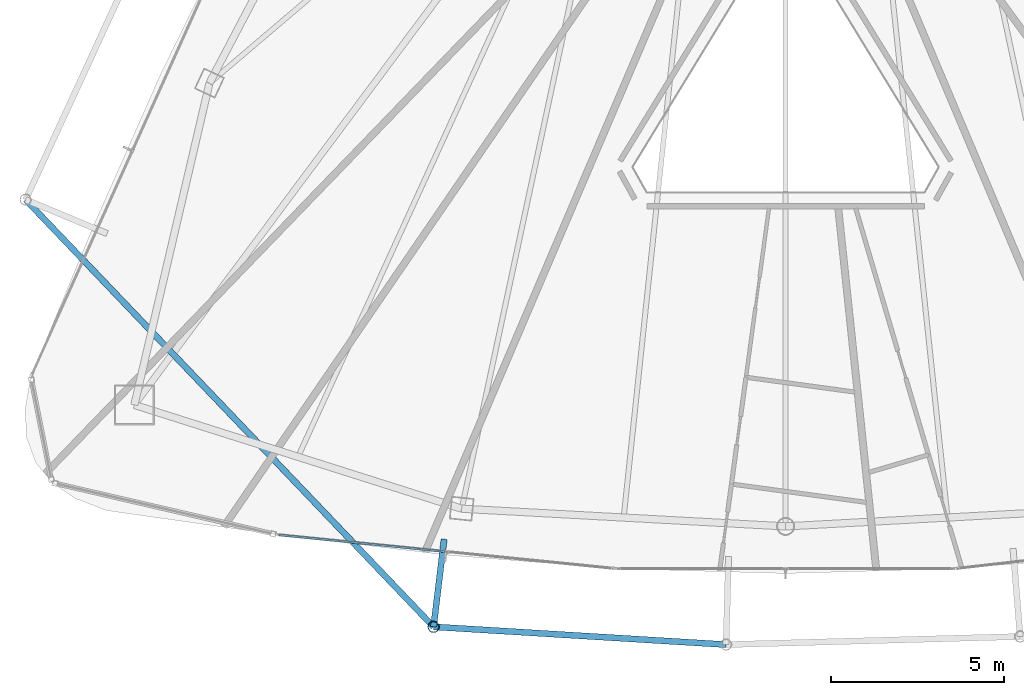
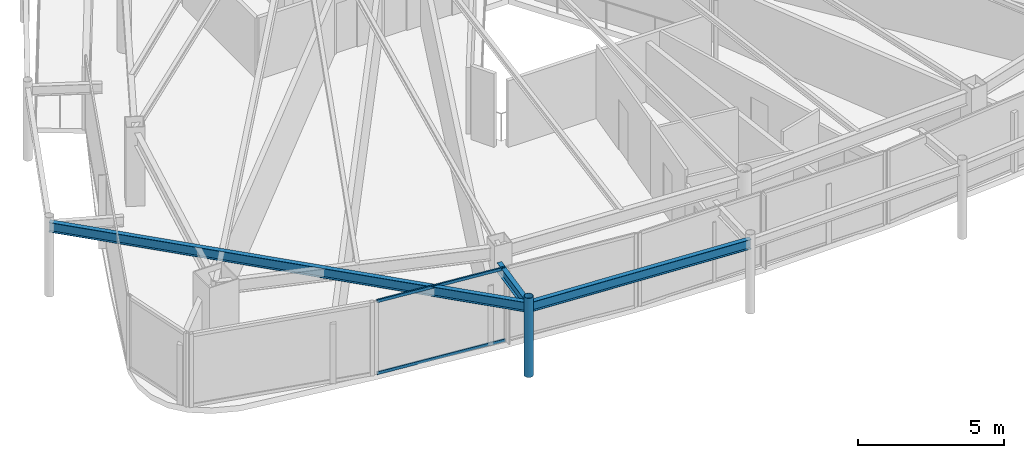
# One storey, part 3 of 28: 3 beams, 3 members, 1 element without a shape of its own.
"""IFC4 building model written with IfcOpenShell, lengths in metres."""

import ifcopenshell
import ifcopenshell.guid

model = None  # the IFC model being written
_history = None  # IfcOwnerHistory: only IFC2X3 demands one
_inside = {}  # id of a spatial element -> (the spatial element, [elements in it])
_under = {}  # id of a project, library or spatial element -> (it, [spatial elements below it])
_declared = {}  # id of a project -> (the project, [libraries it declares])
_typed = {}  # id of a type object -> (the type object, [elements of that type])
_made_of = {}  # id of a material, layer set ... -> (it, [elements and type objects made of it])


def new_model(schema):
    """Start an empty IFC model of exactly this schema.

    Asked for "IFC4X3", IfcOpenShell would pick the latest addendum, in which some entities
    have other attributes; the version numbers below select the first issue.
    IFC2X3 requires an IfcOwnerHistory on every rooted entity: one is made here for all.
    """
    global model, _history
    if schema == "IFC4X3":
        model = ifcopenshell.file(schema_version=(4, 3, 0, 0))
    else:
        model = ifcopenshell.file(schema=schema)
    _inside.clear()
    _under.clear()
    _declared.clear()
    _typed.clear()
    _made_of.clear()
    _history = None
    if model.schema == "IFC2X3":
        org = make("IfcOrganization", Name="unknown")
        user = make(
            "IfcPersonAndOrganization",
            ThePerson=make("IfcPerson", FamilyName="unknown"),
            TheOrganization=org,
        )
        app = make(
            "IfcApplication",
            ApplicationDeveloper=org,
            Version="unknown",
            ApplicationFullName="unknown",
            ApplicationIdentifier="unknown",
        )
        _history = make(
            "IfcOwnerHistory",
            OwningUser=user,
            OwningApplication=app,
            ChangeAction="ADDED",
            CreationDate=0,
        )
    return model


def make(cls, **values):
    """One entity of the class cls with the attributes given. An attribute that is None is left unset."""
    return model.create_entity(
        cls, **{name: value for name, value in values.items() if value is not None}
    )


def rooted(cls, **values):
    """An entity with a GlobalId (a new one), such as an element, a storey or a relation."""
    return make(cls, GlobalId=ifcopenshell.guid.new(), OwnerHistory=_history, **values)


def si_unit(unit_type, name, prefix=None):
    """IfcSIUnit, for example si_unit("LENGTHUNIT", "METRE", prefix="MILLI")."""
    return make("IfcSIUnit", UnitType=unit_type, Prefix=prefix, Name=name)


def assignment(units):
    """IfcUnitAssignment: the units of a project."""
    return None if units is None else make("IfcUnitAssignment", Units=units)


def point(xyz):
    """IfcCartesianPoint."""
    return None if xyz is None else make("IfcCartesianPoint", Coordinates=xyz)


def direction(xyz):
    """IfcDirection."""
    return None if xyz is None else make("IfcDirection", DirectionRatios=xyz)


def frame(location, z_axis=None, x_axis=None):
    """IfcAxis2Placement3D, a coordinate frame: its origin and axes. An axis left out is left unset."""
    return make(
        "IfcAxis2Placement3D",
        Location=point(location),
        Axis=direction(z_axis),
        RefDirection=direction(x_axis),
    )


def frame_2d(location, x_axis=None):
    """IfcAxis2Placement2D, a coordinate frame in the plane: its origin and x axis."""
    return make(
        "IfcAxis2Placement2D", Location=point(location), RefDirection=direction(x_axis)
    )


def origin():
    """The frame at (0, 0, 0) with its axes left unset."""
    return frame((0.0, 0.0, 0.0))


def origin_2d():
    """The frame at (0, 0) in the plane with its x axis left unset."""
    return frame_2d((0.0, 0.0))


def place(relative_to, where):
    """IfcLocalPlacement: puts the frame where relative to a parent placement (None: the world)."""
    return make(
        "IfcLocalPlacement", PlacementRelTo=relative_to, RelativePlacement=where
    )


def context(
    kind, dimensions, precision=None, world=None, true_north=None, identifier=None
):
    """IfcGeometricRepresentationContext, for example the 3D "Model" context."""
    return make(
        "IfcGeometricRepresentationContext",
        ContextIdentifier=identifier,
        ContextType=kind,
        CoordinateSpaceDimension=dimensions,
        Precision=precision,
        WorldCoordinateSystem=world,
        TrueNorth=true_north,
    )


def subcontext(parent, identifier, kind, view, scale=None):
    """IfcGeometricRepresentationSubContext, for example "Body" below "Model"."""
    return make(
        "IfcGeometricRepresentationSubContext",
        ContextIdentifier=identifier,
        ContextType=kind,
        ParentContext=parent,
        TargetScale=scale,
        TargetView=view,
    )


def project(units=None, contexts=None):
    """IfcProject with its units and contexts."""
    return rooted(
        "IfcProject",
        Name="project",
        RepresentationContexts=contexts,
        UnitsInContext=assignment(units),
    )


def spatial(cls, under=None, at=None, **own):
    """A site, building, storey or space (cls), placed at a placement, below another one or the project."""
    s = rooted(cls, ObjectPlacement=at, **own)
    if under is not None:
        _under.setdefault(under.id(), (under, []))[1].append(s)
    return s


def profile(cls, at=None, kind="AREA", **sizes):
    """A parametric profile (cls). Its sizes go by their IFC names, for example OverallWidth=200.0."""
    return make(cls, ProfileType=kind, Position=at, **sizes)


def hollow_rectangle(**sizes):
    """IfcRectangleHollowProfileDef."""
    return profile("IfcRectangleHollowProfileDef", **sizes)


def hollow_circle(**sizes):
    """IfcCircleHollowProfileDef."""
    return profile("IfcCircleHollowProfileDef", **sizes)


def i_section(**sizes):
    """IfcIShapeProfileDef."""
    return profile("IfcIShapeProfileDef", **sizes)


def extrude(swept, where, along, depth):
    """IfcExtrudedAreaSolid: the profile swept, set in the frame where, extruded along a direction by depth."""
    return make(
        "IfcExtrudedAreaSolid",
        SweptArea=swept,
        Position=where,
        ExtrudedDirection=direction(along),
        Depth=depth,
    )


def shape(context_of_items, identifier, shape_type, items):
    """IfcShapeRepresentation: the items that make up one representation, for example the "Body"."""
    return make(
        "IfcShapeRepresentation",
        ContextOfItems=context_of_items,
        RepresentationIdentifier=identifier,
        RepresentationType=shape_type,
        Items=items,
    )


def material(Name=None, Category=None):
    """IfcMaterial."""
    return make("IfcMaterial", Name=Name, Category=Category)


def layer(
    of_material, thickness, ventilated=None, Name=None, Category=None, Priority=None
):
    """IfcMaterialLayer: one layer of a wall or slab, of a material (None: an air gap)."""
    return make(
        "IfcMaterialLayer",
        Material=of_material,
        LayerThickness=thickness,
        IsVentilated=ventilated,
        Name=Name,
        Category=Category,
        Priority=Priority,
    )


def layer_set(layers, Name=None):
    """IfcMaterialLayerSet."""
    return make("IfcMaterialLayerSet", MaterialLayers=layers, LayerSetName=Name)


def material_profile(
    of_material, cross_section, Name=None, Category=None, Priority=None
):
    """IfcMaterialProfile: a cross section and its material."""
    return make(
        "IfcMaterialProfile",
        Name=Name,
        Material=of_material,
        Profile=cross_section,
        Priority=Priority,
        Category=Category,
    )


def profile_set(profiles, Name=None, composite=None):
    """IfcMaterialProfileSet."""
    return make(
        "IfcMaterialProfileSet",
        Name=Name,
        MaterialProfiles=profiles,
        CompositeProfile=composite,
    )


def made_of(thing, what):
    """Note that an element or type object is made of a material, layer set ...; save() writes the relation."""
    if what is not None:
        _made_of.setdefault(what.id(), (what, []))[1].append(thing)
    return thing


def type_object(cls, material=None, **own):
    """A type object (cls), such as IfcWallType, which elements share."""
    return made_of(rooted(cls, **own), material)


def element(
    cls,
    number,
    at=None,
    inside=None,
    cuts=None,
    type_object=None,
    material=None,
    context=None,
    identifier="Body",
    shape_type=None,
    held_by="IfcProductDefinitionShape",
    body=None,
    shapes=None,
    **own,
):
    """One element of the class cls, such as IfcWall. Its Tag is "e" and its number.

    at: its placement. inside: the storey or other place that contains it. cuts: it is an
    opening in that element (IfcRelVoidsElement). A single representation is given by context,
    identifier, shape_type and body (its items); several are given by shapes. held_by: the class
    of the entity that holds the representations. save() writes the other relations.
    """
    e = rooted(cls, Tag="e%d" % number, ObjectPlacement=at, **own)
    if body is not None:
        shapes = [shape(context, identifier, shape_type, body)]
    if shapes is not None:
        e.Representation = make(held_by, Representations=shapes)
    if inside is not None:
        _inside.setdefault(inside.id(), (inside, []))[1].append(e)
    if cuts is not None:
        rooted(
            "IfcRelVoidsElement", RelatingBuildingElement=cuts, RelatedOpeningElement=e
        )
    if type_object is not None:
        _typed.setdefault(type_object.id(), (type_object, []))[1].append(e)
    return made_of(e, material)


def aggregate(whole, parts):
    """IfcRelAggregates: a whole, such as a stair, and the parts it consists of."""
    return rooted("IfcRelAggregates", RelatingObject=whole, RelatedObjects=parts)


def save(model, path):
    """Write the relations noted so far, then the file.

    IfcRelAggregates (storeys below a building ...), IfcRelContainedInSpatialStructure (elements
    in a storey), IfcRelDefinesByType, IfcRelAssociatesMaterial and IfcRelDeclares: one each for
    every whole, place, type object, material and project.
    """
    for whole, parts in _under.values():
        aggregate(whole, parts)
    for where, things in _inside.values():
        rooted(
            "IfcRelContainedInSpatialStructure",
            RelatedElements=things,
            RelatingStructure=where,
        )
    for kind, things in _typed.values():
        rooted("IfcRelDefinesByType", RelatedObjects=things, RelatingType=kind)
    for what, things in _made_of.values():
        rooted("IfcRelAssociatesMaterial", RelatedObjects=things, RelatingMaterial=what)
    for by, libraries in _declared.values():
        rooted("IfcRelDeclares", RelatingContext=by, RelatedDefinitions=libraries)
    model.write(path)


model = new_model("IFC4")

# Units and contexts
model_context = context("Model", 3, precision=1e-05, world=origin(), true_north=direction((0.0, 1.0)))
body_context = subcontext(model_context, "Body", "Model", "MODEL_VIEW")
ifc_project = project(units=[si_unit("LENGTHUNIT", "METRE"), si_unit("AREAUNIT", "SQUARE_METRE"), si_unit("VOLUMEUNIT", "CUBIC_METRE"), si_unit("PLANEANGLEUNIT", "RADIAN"), si_unit("MASSUNIT", "GRAM", prefix="KILO")], contexts=[model_context])

# Site, building, storey
site_placement = place(None, origin())
site = spatial("IfcSite", under=ifc_project, at=site_placement, CompositionType="ELEMENT")
building_placement = place(site_placement, origin())
building = spatial("IfcBuilding", under=site, at=building_placement, Name="Orvanel Arch Residences", CompositionType="ELEMENT")
storey_placement = place(building_placement, frame((0.0, 0.0, 260.14990234375)))
storey = spatial("IfcBuildingStorey", under=building, at=storey_placement, Name="L74", CompositionType="ELEMENT", Elevation=260.14990234375)

# Beams
ifc_material_1 = material(Name="Structural steel AS/NZS 3679.1 Grade 300 (300 MPa)", Category="steel")
ifc_material_profile_1 = material_profile(ifc_material_1, i_section(OverallWidth=0.177978515625, OverallDepth=0.406005859375, WebThickness=0.0078125, FlangeThickness=0.0126953125, at=origin_2d()), Name="410UB59.7")
ifc_profile_set_1 = profile_set([ifc_material_profile_1], Name="Structural steel AS/NZS 3679.1 Grade 300 (300 MPa)")
beam_type = type_object("IfcBeamType", Name="OB-410UB-EXT", PredefinedType="SPANDREL", material=ifc_profile_set_1)
beam_1_placement = place(storey_placement, frame((11.05908203125, 16.277099609375, 2.857177734375), z_axis=(0.690641889192, -0.723196917093, 0.0), x_axis=(0.723196917093, 0.690641889192, 0.0)))
element("IfcBeam", 1, at=beam_1_placement, inside=storey, type_object=beam_type, Name="L74 Outer Perimeter Floor Ring Beam 04", PredefinedType="SPANDREL", context=body_context, shape_type="SweptSolid", body=[
    extrude(i_section(OverallWidth=0.177978515625, OverallDepth=0.406005859375, WebThickness=0.0078125, FlangeThickness=0.0126953125, at=origin_2d()), origin(), (0.0, 0.0, 1.0), 17.053466796875),
])
beam_2_placement = place(storey_placement, frame((23.14208984375, 6.47607421875, 2.857177734375), z_axis=(-0.119662357231, -0.992814645471, 0.0), x_axis=(0.992814645471, -0.119662357231, 0.0)))
element("IfcBeam", 2, at=beam_2_placement, inside=storey, type_object=beam_type, Name="L74 Outer Frame Radial Tie Beam 05", PredefinedType="SPANDREL", context=body_context, shape_type="SweptSolid", body=[
    extrude(i_section(OverallWidth=0.177978515625, OverallDepth=0.406005859375, WebThickness=0.0078125, FlangeThickness=0.0126953125, at=origin_2d()), origin(), (0.0, 0.0, 1.0), 2.55029296875),
])
beam_3_placement = place(storey_placement, frame((22.8369140625, 3.944091796875, 2.857177734375), z_axis=(0.998158343554, -0.06066235401, 0.0), x_axis=(0.06066235401, 0.998158343554, 0.0)))
element("IfcBeam", 3, at=beam_3_placement, inside=storey, type_object=beam_type, Name="L74 Outer Perimeter Floor Ring Beam 05", PredefinedType="SPANDREL", context=body_context, shape_type="SweptSolid", body=[
    extrude(i_section(OverallWidth=0.177978515625, OverallDepth=0.406005859375, WebThickness=0.0078125, FlangeThickness=0.0126953125, at=origin_2d()), origin(), (0.0, 0.0, 1.0), 8.459716796875),
])

# Member
ifc_material_2 = material(Name="Structural steel AS/NZS 1163 C350L0 (Grade 350)", Category="steel")
ifc_material_profile_2 = material_profile(ifc_material_2, hollow_circle(Radius=0.162109375, WallThickness=0.0126953125, at=origin_2d()), Name="CHS324x12.7")
ifc_profile_set_2 = profile_set([ifc_material_profile_2], Name="Structural steel AS/NZS 1163 C350L0 (Grade 350)")
member_type_1 = type_object("IfcMemberType", Name="ST-324CHS-EXT", PredefinedType="STRUT", material=ifc_profile_set_2)
member_1_placement = place(storey_placement, frame((22.8369140625, 3.944091796875, 0.0), z_axis=(0.0, 0.0, 1.0), x_axis=(1.0, 0.0, 0.0)))
element("IfcMember", 4, at=member_1_placement, inside=storey, type_object=member_type_1, Name="L74 Outer Perimeter Frame Post 05", PredefinedType="STRUT", context=body_context, shape_type="SweptSolid", body=[
    extrude(hollow_circle(Radius=0.162109375, WallThickness=0.0126953125, at=origin_2d()), origin(), (0.0, 0.0, 1.0), 3.300048828125),
])

# Curtain wall, members
ifc_material_3 = material(Name="Bronze-anodised aluminium AA6063-T6", Category="aluminium")
ifc_layer = layer(ifc_material_3, 0.175048828125)
ifc_layer_set = layer_set([ifc_layer], Name="Bronze-anodised aluminium AA6063-T6")
curtain_wall_type = type_object("IfcCurtainWallType", Name="CW4-HI-SYS", PredefinedType="NOTDEFINED", material=ifc_layer_set)
curtain_wall_placement = place(storey_placement, origin())
curtain_wall = element("IfcCurtainWall", 5, at=curtain_wall_placement, inside=storey, type_object=curtain_wall_type, Name="L74 CW4-HI-SYS Unitised Curtain Wall", PredefinedType="NOTDEFINED")
ifc_material_profile_3 = material_profile(ifc_material_3, hollow_rectangle(XDim=0.06005859375, YDim=0.1201171875, WallThickness=0.00341796875, at=origin_2d()), Name="ALU120x60x3.5")
ifc_profile_set_3 = profile_set([ifc_material_profile_3], Name="Bronze-anodised aluminium AA6063-T6")
member_type_2 = type_object("IfcMemberType", Name="TRN-120x60", PredefinedType="USERDEFINED", material=ifc_profile_set_3)
member_2_placement = place(storey_placement, frame((18.382568359375, 6.596435546875, 0.030029296875), z_axis=(0.9950089944, -0.099785274778, 0.0), x_axis=(0.099785274778, 0.9950089944, 0.0)))
member_2 = element("IfcMember", 6, at=member_2_placement, type_object=member_type_2, Name="CW-S4 transom 1.1", ObjectType="TRANSOM", PredefinedType="USERDEFINED", context=body_context, shape_type="SweptSolid", body=[
    extrude(hollow_rectangle(XDim=0.06005859375, YDim=0.1201171875, WallThickness=0.00341796875, at=origin_2d()), origin(), (0.0, 0.0, 1.0), 4.8076171875),
])
member_3_placement = place(storey_placement, frame((18.382568359375, 6.596435546875, 3.030029296875), z_axis=(0.9950089944, -0.099785274778, 0.0), x_axis=(0.099785274778, 0.9950089944, 0.0)))
member_3 = element("IfcMember", 7, at=member_3_placement, type_object=member_type_2, Name="CW-S4 transom 1.2", ObjectType="TRANSOM", PredefinedType="USERDEFINED", context=body_context, shape_type="SweptSolid", body=[
    extrude(hollow_rectangle(XDim=0.06005859375, YDim=0.1201171875, WallThickness=0.00341796875, at=origin_2d()), origin(), (0.0, 0.0, 1.0), 4.8076171875),
])
aggregate(curtain_wall, [member_2, member_3])

save(model, "model.ifc")
